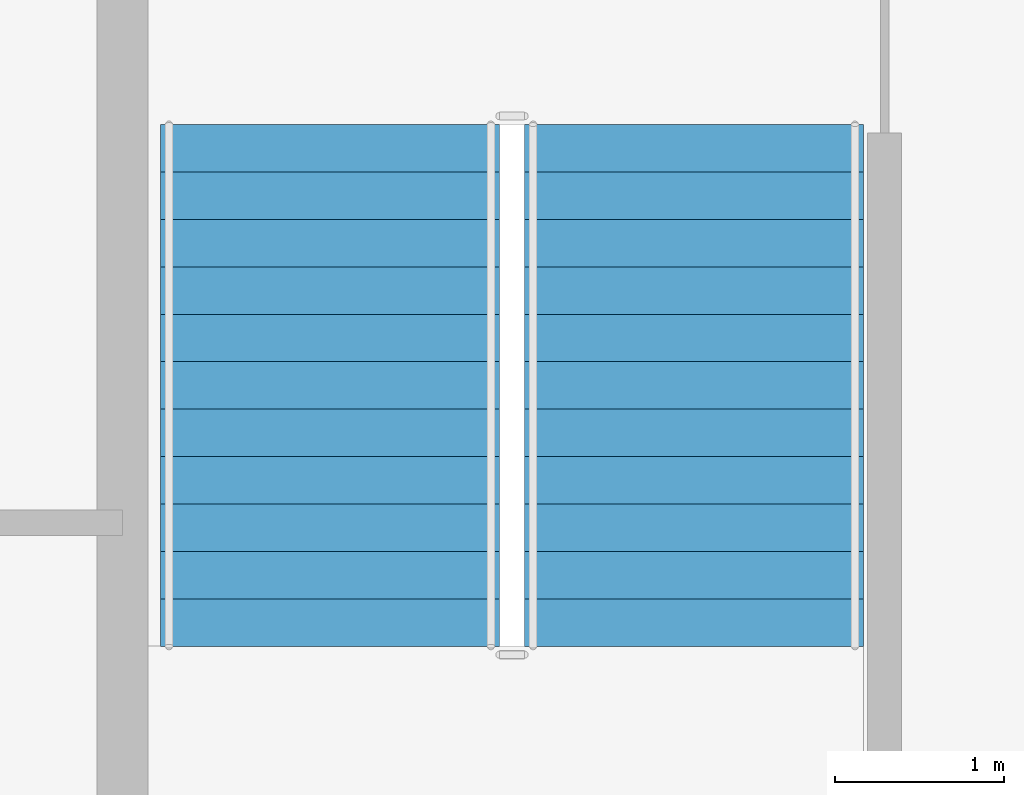
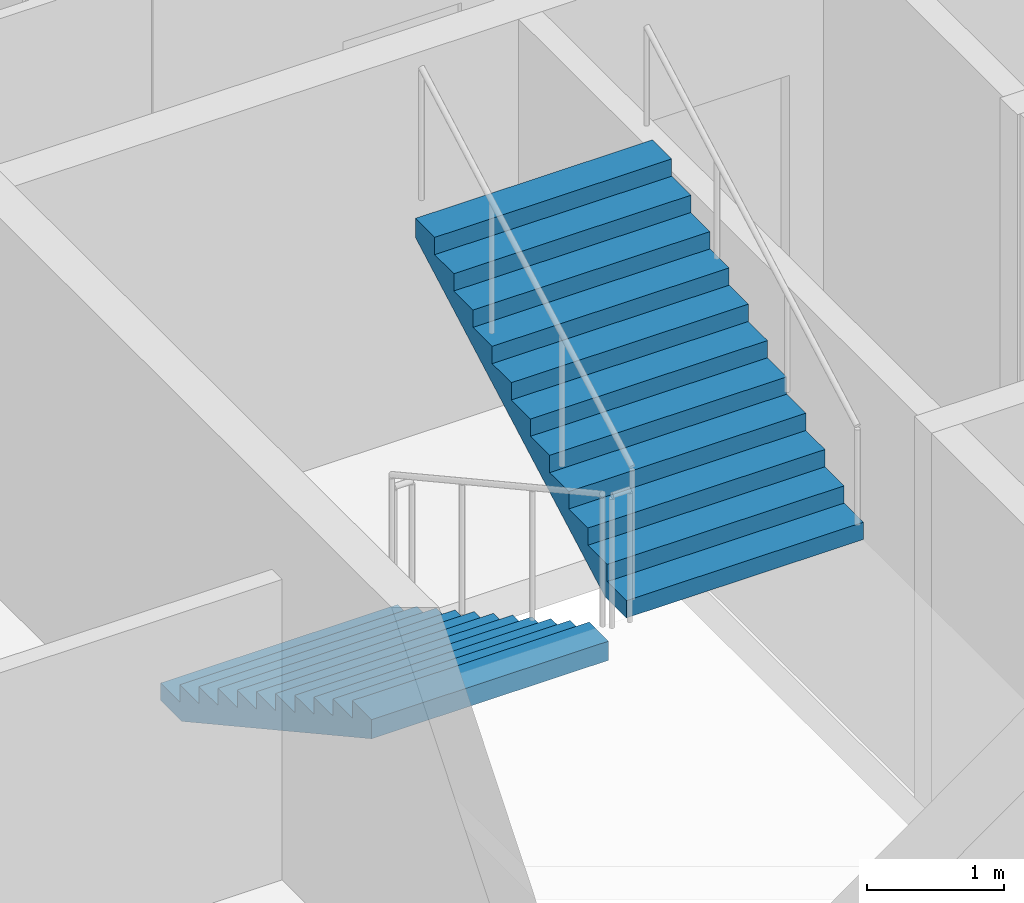
# One storey, part 9 of 12: 2 stair flights, 1 element without a shape of its own.
"""IFC4 building model written with IfcOpenShell, lengths in metres."""

from ifc_helpers import new_model, si_unit, direction, frame, origin, place, context, subcontext, project, spatial, polygons, material, type_object, element, aggregate, save


model = new_model("IFC4")

# Units and contexts
model_context = context("Model", 3, precision=1e-05, world=origin(), true_north=direction((0.0, 1.0)))
body_context = subcontext(model_context, "Body", "Model", "MODEL_VIEW")
ifc_project = project(units=[si_unit("LENGTHUNIT", "METRE"), si_unit("AREAUNIT", "SQUARE_METRE"), si_unit("VOLUMEUNIT", "CUBIC_METRE"), si_unit("PLANEANGLEUNIT", "RADIAN"), si_unit("MASSUNIT", "GRAM", prefix="KILO")], contexts=[model_context])

# Site, building, storey
site_placement = place(None, origin())
site = spatial("IfcSite", under=ifc_project, at=site_placement, CompositionType="ELEMENT")
building_placement = place(site_placement, origin())
building = spatial("IfcBuilding", under=site, at=building_placement, Name="Caravel Reach Hotel and Residences", CompositionType="ELEMENT")
storey_placement = place(building_placement, frame((0.0, 0.0, 214.60009765625)))
storey = spatial("IfcBuildingStorey", under=building, at=storey_placement, Name="L54", CompositionType="ELEMENT", Elevation=214.60009765625)

# Stair, stair flights
ifc_material_1 = material(Name="Concrete C40", Category="concrete")
stair_type = type_object("IfcStairType", Name="Core stair", PredefinedType="HALF_TURN_STAIR", material=ifc_material_1)
stair_placement = place(storey_placement, origin())
stair = element("IfcStair", 1, at=stair_placement, inside=storey, type_object=stair_type, Name="L54 Exit stair A", PredefinedType="HALF_TURN_STAIR")
ifc_material_2 = material(Name="Concrete C40", Category="concrete")
stair_flight_type = type_object("IfcStairFlightType", Name="Core stair flight", PredefinedType="STRAIGHT", material=ifc_material_2)
stair_flight_1_placement = place(storey_placement, frame((19.22509765625, 29.35009765625, 0.0), z_axis=(0.0, 0.0, 1.0), x_axis=(0.0, -1.0, 0.0)))
stair_flight_1 = element("IfcStairFlight", 2, at=stair_flight_1_placement, type_object=stair_flight_type, Name="ST-A flight 1", NumberOfRisers=12, NumberOfTreads=11, PredefinedType="STRAIGHT", RiserHeight=0.154166667, TreadLength=0.28, context=body_context, shape_type="Tessellation", body=[
    polygons([(0.3107950034306102, 1.0, 0.0), (0.3107950034306102, 0.6666666666666667, 0.0), (0.3107950034306102, 0.33333333333333337, 0.0), (0.3107950034306102, 0.0, 0.0), (0.3107950034306102, -0.33333333333333326, 0.0), (0.3107950034306102, -0.6666666666666667, 0.0), (0.3107950034306102, -1.0, 0.0), (3.081, 1.0, 1.524711087717319), (3.081, 0.6666666666666667, 1.524711087717319), (3.081, 0.33333333333333337, 1.524711087717319), (3.081, 0.0, 1.524711087717319), (3.081, -0.33333333333333326, 1.524711087717319), (3.081, -0.6666666666666667, 1.524711087717319), (3.081, -1.0, 1.524711087717319), (3.081, 1.0, 1.695833337), (3.081, 0.6666666666666667, 1.695833337), (3.081, 0.33333333333333337, 1.695833337), (3.081, 0.0, 1.695833337), (3.081, -0.33333333333333326, 1.695833337), (3.081, -0.6666666666666667, 1.695833337), (3.081, -1.0, 1.695833337), (2.8000000000000003, 1.0, 1.695833337), (2.8000000000000003, 0.6666666666666667, 1.695833337), (2.8000000000000003, 0.33333333333333337, 1.695833337), (2.8000000000000003, 0.0, 1.695833337), (2.8000000000000003, -0.33333333333333326, 1.695833337), (2.8000000000000003, -0.6666666666666667, 1.695833337), (2.8000000000000003, -1.0, 1.695833337), (2.8000000000000003, 1.0, 1.5416666700000001), (2.8000000000000003, 0.6666666666666667, 1.5416666700000001), (2.8000000000000003, 0.33333333333333337, 1.5416666700000001), (2.8000000000000003, 0.0, 1.5416666700000001), (2.8000000000000003, -0.33333333333333326, 1.5416666700000001), (2.8000000000000003, -0.6666666666666667, 1.5416666700000001), (2.8000000000000003, -1.0, 1.5416666700000001), (2.5200000000000005, 1.0, 1.5416666700000001), (2.5200000000000005, 0.6666666666666667, 1.5416666700000001), (2.5200000000000005, 0.33333333333333337, 1.5416666700000001), (2.5200000000000005, 0.0, 1.5416666700000001), (2.5200000000000005, -0.33333333333333326, 1.5416666700000001), (2.5200000000000005, -0.6666666666666667, 1.5416666700000001), (2.5200000000000005, -1.0, 1.5416666700000001), (2.5200000000000005, 1.0, 1.387500003), (2.5200000000000005, 0.6666666666666667, 1.387500003), (2.5200000000000005, 0.33333333333333337, 1.387500003), (2.5200000000000005, 0.0, 1.387500003), (2.5200000000000005, -0.33333333333333326, 1.387500003), (2.5200000000000005, -0.6666666666666667, 1.387500003), (2.5200000000000005, -1.0, 1.387500003), (2.24, 1.0, 1.387500003), (2.24, 0.6666666666666667, 1.387500003), (2.24, 0.33333333333333337, 1.387500003), (2.24, 0.0, 1.387500003), (2.24, -0.33333333333333326, 1.387500003), (2.24, -0.6666666666666667, 1.387500003), (2.24, -1.0, 1.387500003), (2.24, 1.0, 1.233333336), (2.24, 0.6666666666666667, 1.233333336), (2.24, 0.33333333333333337, 1.233333336), (2.24, 0.0, 1.233333336), (2.24, -0.33333333333333326, 1.233333336), (2.24, -0.6666666666666667, 1.233333336), (2.24, -1.0, 1.233333336), (1.9600000000000002, 1.0, 1.233333336), (1.9600000000000002, 0.6666666666666667, 1.233333336), (1.9600000000000002, 0.33333333333333337, 1.233333336), (1.9600000000000002, 0.0, 1.233333336), (1.9600000000000002, -0.33333333333333326, 1.233333336), (1.9600000000000002, -0.6666666666666667, 1.233333336), (1.9600000000000002, -1.0, 1.233333336), (1.9600000000000002, 1.0, 1.0791666690000001), (1.9600000000000002, 0.6666666666666667, 1.0791666690000001), (1.9600000000000002, 0.33333333333333337, 1.0791666690000001), (1.9600000000000002, 0.0, 1.0791666690000001), (1.9600000000000002, -0.33333333333333326, 1.0791666690000001), (1.9600000000000002, -0.6666666666666667, 1.0791666690000001), (1.9600000000000002, -1.0, 1.0791666690000001), (1.6800000000000002, 1.0, 1.0791666690000001), (1.6800000000000002, 0.6666666666666667, 1.0791666690000001), (1.6800000000000002, 0.33333333333333337, 1.0791666690000001), (1.6800000000000002, 0.0, 1.0791666690000001), (1.6800000000000002, -0.33333333333333326, 1.0791666690000001), (1.6800000000000002, -0.6666666666666667, 1.0791666690000001), (1.6800000000000002, -1.0, 1.0791666690000001), (1.6800000000000002, 1.0, 0.925000002), (1.6800000000000002, 0.6666666666666667, 0.925000002), (1.6800000000000002, 0.33333333333333337, 0.925000002), (1.6800000000000002, 0.0, 0.925000002), (1.6800000000000002, -0.33333333333333326, 0.925000002), (1.6800000000000002, -0.6666666666666667, 0.925000002), (1.6800000000000002, -1.0, 0.925000002), (1.4000000000000001, 1.0, 0.925000002), (1.4000000000000001, 0.6666666666666667, 0.925000002), (1.4000000000000001, 0.33333333333333337, 0.925000002), (1.4000000000000001, 0.0, 0.925000002), (1.4000000000000001, -0.33333333333333326, 0.925000002), (1.4000000000000001, -0.6666666666666667, 0.925000002), (1.4000000000000001, -1.0, 0.925000002), (1.4000000000000001, 1.0, 0.7708333350000001), (1.4000000000000001, 0.6666666666666667, 0.7708333350000001), (1.4000000000000001, 0.33333333333333337, 0.7708333350000001), (1.4000000000000001, 0.0, 0.7708333350000001), (1.4000000000000001, -0.33333333333333326, 0.7708333350000001), (1.4000000000000001, -0.6666666666666667, 0.7708333350000001), (1.4000000000000001, -1.0, 0.7708333350000001), (1.12, 1.0, 0.7708333350000001), (1.12, 0.6666666666666667, 0.7708333350000001), (1.12, 0.33333333333333337, 0.7708333350000001), (1.12, 0.0, 0.7708333350000001), (1.12, -0.33333333333333326, 0.7708333350000001), (1.12, -0.6666666666666667, 0.7708333350000001), (1.12, -1.0, 0.7708333350000001), (1.12, 1.0, 0.616666668), (1.12, 0.6666666666666667, 0.616666668), (1.12, 0.33333333333333337, 0.616666668), (1.12, 0.0, 0.616666668), (1.12, -0.33333333333333326, 0.616666668), (1.12, -0.6666666666666667, 0.616666668), (1.12, -1.0, 0.616666668), (0.8400000000000001, 1.0, 0.616666668), (0.8400000000000001, 0.6666666666666667, 0.616666668), (0.8400000000000001, 0.33333333333333337, 0.616666668), (0.8400000000000001, 0.0, 0.616666668), (0.8400000000000001, -0.33333333333333326, 0.616666668), (0.8400000000000001, -0.6666666666666667, 0.616666668), (0.8400000000000001, -1.0, 0.616666668), (0.8400000000000001, 1.0, 0.462500001), (0.8400000000000001, 0.6666666666666667, 0.462500001), (0.8400000000000001, 0.33333333333333337, 0.462500001), (0.8400000000000001, 0.0, 0.462500001), (0.8400000000000001, -0.33333333333333326, 0.462500001), (0.8400000000000001, -0.6666666666666667, 0.462500001), (0.8400000000000001, -1.0, 0.462500001), (0.56, 1.0, 0.462500001), (0.56, 0.6666666666666667, 0.462500001), (0.56, 0.33333333333333337, 0.462500001), (0.56, 0.0, 0.462500001), (0.56, -0.33333333333333326, 0.462500001), (0.56, -0.6666666666666667, 0.462500001), (0.56, -1.0, 0.462500001), (0.56, 1.0, 0.308333334), (0.56, 0.6666666666666667, 0.308333334), (0.56, 0.33333333333333337, 0.308333334), (0.56, 0.0, 0.308333334), (0.56, -0.33333333333333326, 0.308333334), (0.56, -0.6666666666666667, 0.308333334), (0.56, -1.0, 0.308333334), (0.28, 1.0, 0.308333334), (0.28, 0.6666666666666667, 0.308333334), (0.28, 0.33333333333333337, 0.308333334), (0.28, 0.0, 0.308333334), (0.28, -0.33333333333333326, 0.308333334), (0.28, -0.6666666666666667, 0.308333334), (0.28, -1.0, 0.308333334), (0.28, 1.0, 0.154166667), (0.28, 0.6666666666666667, 0.154166667), (0.28, 0.33333333333333337, 0.154166667), (0.28, 0.0, 0.154166667), (0.28, -0.33333333333333326, 0.154166667), (0.28, -0.6666666666666667, 0.154166667), (0.28, -1.0, 0.154166667), (-0.001, 1.0, 0.154166667), (-0.001, 0.6666666666666667, 0.154166667), (-0.001, 0.33333333333333337, 0.154166667), (-0.001, 0.0, 0.154166667), (-0.001, -0.33333333333333326, 0.154166667), (-0.001, -0.6666666666666667, 0.154166667), (-0.001, -1.0, 0.154166667), (-0.001, 1.0, 0.0), (-0.001, 0.6666666666666667, 0.0), (-0.001, 0.33333333333333337, 0.0), (-0.001, 0.0, 0.0), (-0.001, -0.33333333333333326, 0.0), (-0.001, -0.6666666666666667, 0.0), (-0.001, -1.0, 0.0)], [[[169, 162, 155, 148, 141, 134, 127, 120, 113, 106, 99, 92, 85, 78, 71, 64, 57, 50, 43, 36, 29, 22, 15, 8, 1]], [[7, 14, 21, 28, 35, 42, 49, 56, 63, 70, 77, 84, 91, 98, 105, 112, 119, 126, 133, 140, 147, 154, 161, 168, 175]], [[1, 8, 9, 2]], [[2, 9, 10, 3]], [[3, 10, 11, 4]], [[4, 11, 12, 5]], [[5, 12, 13, 6]], [[6, 13, 14, 7]], [[8, 15, 16, 9]], [[9, 16, 17, 10]], [[10, 17, 18, 11]], [[11, 18, 19, 12]], [[12, 19, 20, 13]], [[13, 20, 21, 14]], [[15, 22, 23, 16]], [[16, 23, 24, 17]], [[17, 24, 25, 18]], [[18, 25, 26, 19]], [[19, 26, 27, 20]], [[20, 27, 28, 21]], [[22, 29, 30, 23]], [[23, 30, 31, 24]], [[24, 31, 32, 25]], [[25, 32, 33, 26]], [[26, 33, 34, 27]], [[27, 34, 35, 28]], [[29, 36, 37, 30]], [[30, 37, 38, 31]], [[31, 38, 39, 32]], [[32, 39, 40, 33]], [[33, 40, 41, 34]], [[34, 41, 42, 35]], [[36, 43, 44, 37]], [[37, 44, 45, 38]], [[38, 45, 46, 39]], [[39, 46, 47, 40]], [[40, 47, 48, 41]], [[41, 48, 49, 42]], [[43, 50, 51, 44]], [[44, 51, 52, 45]], [[45, 52, 53, 46]], [[46, 53, 54, 47]], [[47, 54, 55, 48]], [[48, 55, 56, 49]], [[50, 57, 58, 51]], [[51, 58, 59, 52]], [[52, 59, 60, 53]], [[53, 60, 61, 54]], [[54, 61, 62, 55]], [[55, 62, 63, 56]], [[57, 64, 65, 58]], [[58, 65, 66, 59]], [[59, 66, 67, 60]], [[60, 67, 68, 61]], [[61, 68, 69, 62]], [[62, 69, 70, 63]], [[64, 71, 72, 65]], [[65, 72, 73, 66]], [[66, 73, 74, 67]], [[67, 74, 75, 68]], [[68, 75, 76, 69]], [[69, 76, 77, 70]], [[71, 78, 79, 72]], [[72, 79, 80, 73]], [[73, 80, 81, 74]], [[74, 81, 82, 75]], [[75, 82, 83, 76]], [[76, 83, 84, 77]], [[78, 85, 86, 79]], [[79, 86, 87, 80]], [[80, 87, 88, 81]], [[81, 88, 89, 82]], [[82, 89, 90, 83]], [[83, 90, 91, 84]], [[85, 92, 93, 86]], [[86, 93, 94, 87]], [[87, 94, 95, 88]], [[88, 95, 96, 89]], [[89, 96, 97, 90]], [[90, 97, 98, 91]], [[92, 99, 100, 93]], [[93, 100, 101, 94]], [[94, 101, 102, 95]], [[95, 102, 103, 96]], [[96, 103, 104, 97]], [[97, 104, 105, 98]], [[99, 106, 107, 100]], [[100, 107, 108, 101]], [[101, 108, 109, 102]], [[102, 109, 110, 103]], [[103, 110, 111, 104]], [[104, 111, 112, 105]], [[106, 113, 114, 107]], [[107, 114, 115, 108]], [[108, 115, 116, 109]], [[109, 116, 117, 110]], [[110, 117, 118, 111]], [[111, 118, 119, 112]], [[113, 120, 121, 114]], [[114, 121, 122, 115]], [[115, 122, 123, 116]], [[116, 123, 124, 117]], [[117, 124, 125, 118]], [[118, 125, 126, 119]], [[120, 127, 128, 121]], [[121, 128, 129, 122]], [[122, 129, 130, 123]], [[123, 130, 131, 124]], [[124, 131, 132, 125]], [[125, 132, 133, 126]], [[127, 134, 135, 128]], [[128, 135, 136, 129]], [[129, 136, 137, 130]], [[130, 137, 138, 131]], [[131, 138, 139, 132]], [[132, 139, 140, 133]], [[134, 141, 142, 135]], [[135, 142, 143, 136]], [[136, 143, 144, 137]], [[137, 144, 145, 138]], [[138, 145, 146, 139]], [[139, 146, 147, 140]], [[141, 148, 149, 142]], [[142, 149, 150, 143]], [[143, 150, 151, 144]], [[144, 151, 152, 145]], [[145, 152, 153, 146]], [[146, 153, 154, 147]], [[148, 155, 156, 149]], [[149, 156, 157, 150]], [[150, 157, 158, 151]], [[151, 158, 159, 152]], [[152, 159, 160, 153]], [[153, 160, 161, 154]], [[155, 162, 163, 156]], [[156, 163, 164, 157]], [[157, 164, 165, 158]], [[158, 165, 166, 159]], [[159, 166, 167, 160]], [[160, 167, 168, 161]], [[162, 169, 170, 163]], [[163, 170, 171, 164]], [[164, 171, 172, 165]], [[165, 172, 173, 166]], [[166, 173, 174, 167]], [[167, 174, 175, 168]], [[169, 1, 2, 170]], [[170, 2, 3, 171]], [[171, 3, 4, 172]], [[172, 4, 5, 173]], [[173, 5, 6, 174]], [[174, 6, 7, 175]]], closed=True),
])
stair_flight_2_placement = place(storey_placement, frame((21.375, 26.27001953125, 1.849853515625), z_axis=(0.0, 0.0, 1.0), x_axis=(0.0, 1.0, 0.0)))
stair_flight_2 = element("IfcStairFlight", 3, at=stair_flight_2_placement, type_object=stair_flight_type, Name="ST-A flight 2", NumberOfRisers=12, NumberOfTreads=11, PredefinedType="STRAIGHT", RiserHeight=0.154166667, TreadLength=0.28, context=body_context, shape_type="Tessellation", body=[
    polygons([(0.3107950034306102, 1.0, 0.0), (0.3107950034306102, 0.6666666666666667, 0.0), (0.3107950034306102, 0.33333333333333337, 0.0), (0.3107950034306102, 0.0, 0.0), (0.3107950034306102, -0.33333333333333326, 0.0), (0.3107950034306102, -0.6666666666666667, 0.0), (0.3107950034306102, -1.0, 0.0), (3.081, 1.0, 1.524711087717319), (3.081, 0.6666666666666667, 1.524711087717319), (3.081, 0.33333333333333337, 1.524711087717319), (3.081, 0.0, 1.524711087717319), (3.081, -0.33333333333333326, 1.524711087717319), (3.081, -0.6666666666666667, 1.524711087717319), (3.081, -1.0, 1.524711087717319), (3.081, 1.0, 1.695833337), (3.081, 0.6666666666666667, 1.695833337), (3.081, 0.33333333333333337, 1.695833337), (3.081, 0.0, 1.695833337), (3.081, -0.33333333333333326, 1.695833337), (3.081, -0.6666666666666667, 1.695833337), (3.081, -1.0, 1.695833337), (2.8000000000000003, 1.0, 1.695833337), (2.8000000000000003, 0.6666666666666667, 1.695833337), (2.8000000000000003, 0.33333333333333337, 1.695833337), (2.8000000000000003, 0.0, 1.695833337), (2.8000000000000003, -0.33333333333333326, 1.695833337), (2.8000000000000003, -0.6666666666666667, 1.695833337), (2.8000000000000003, -1.0, 1.695833337), (2.8000000000000003, 1.0, 1.5416666700000001), (2.8000000000000003, 0.6666666666666667, 1.5416666700000001), (2.8000000000000003, 0.33333333333333337, 1.5416666700000001), (2.8000000000000003, 0.0, 1.5416666700000001), (2.8000000000000003, -0.33333333333333326, 1.5416666700000001), (2.8000000000000003, -0.6666666666666667, 1.5416666700000001), (2.8000000000000003, -1.0, 1.5416666700000001), (2.5200000000000005, 1.0, 1.5416666700000001), (2.5200000000000005, 0.6666666666666667, 1.5416666700000001), (2.5200000000000005, 0.33333333333333337, 1.5416666700000001), (2.5200000000000005, 0.0, 1.5416666700000001), (2.5200000000000005, -0.33333333333333326, 1.5416666700000001), (2.5200000000000005, -0.6666666666666667, 1.5416666700000001), (2.5200000000000005, -1.0, 1.5416666700000001), (2.5200000000000005, 1.0, 1.387500003), (2.5200000000000005, 0.6666666666666667, 1.387500003), (2.5200000000000005, 0.33333333333333337, 1.387500003), (2.5200000000000005, 0.0, 1.387500003), (2.5200000000000005, -0.33333333333333326, 1.387500003), (2.5200000000000005, -0.6666666666666667, 1.387500003), (2.5200000000000005, -1.0, 1.387500003), (2.24, 1.0, 1.387500003), (2.24, 0.6666666666666667, 1.387500003), (2.24, 0.33333333333333337, 1.387500003), (2.24, 0.0, 1.387500003), (2.24, -0.33333333333333326, 1.387500003), (2.24, -0.6666666666666667, 1.387500003), (2.24, -1.0, 1.387500003), (2.24, 1.0, 1.233333336), (2.24, 0.6666666666666667, 1.233333336), (2.24, 0.33333333333333337, 1.233333336), (2.24, 0.0, 1.233333336), (2.24, -0.33333333333333326, 1.233333336), (2.24, -0.6666666666666667, 1.233333336), (2.24, -1.0, 1.233333336), (1.9600000000000002, 1.0, 1.233333336), (1.9600000000000002, 0.6666666666666667, 1.233333336), (1.9600000000000002, 0.33333333333333337, 1.233333336), (1.9600000000000002, 0.0, 1.233333336), (1.9600000000000002, -0.33333333333333326, 1.233333336), (1.9600000000000002, -0.6666666666666667, 1.233333336), (1.9600000000000002, -1.0, 1.233333336), (1.9600000000000002, 1.0, 1.0791666690000001), (1.9600000000000002, 0.6666666666666667, 1.0791666690000001), (1.9600000000000002, 0.33333333333333337, 1.0791666690000001), (1.9600000000000002, 0.0, 1.0791666690000001), (1.9600000000000002, -0.33333333333333326, 1.0791666690000001), (1.9600000000000002, -0.6666666666666667, 1.0791666690000001), (1.9600000000000002, -1.0, 1.0791666690000001), (1.6800000000000002, 1.0, 1.0791666690000001), (1.6800000000000002, 0.6666666666666667, 1.0791666690000001), (1.6800000000000002, 0.33333333333333337, 1.0791666690000001), (1.6800000000000002, 0.0, 1.0791666690000001), (1.6800000000000002, -0.33333333333333326, 1.0791666690000001), (1.6800000000000002, -0.6666666666666667, 1.0791666690000001), (1.6800000000000002, -1.0, 1.0791666690000001), (1.6800000000000002, 1.0, 0.925000002), (1.6800000000000002, 0.6666666666666667, 0.925000002), (1.6800000000000002, 0.33333333333333337, 0.925000002), (1.6800000000000002, 0.0, 0.925000002), (1.6800000000000002, -0.33333333333333326, 0.925000002), (1.6800000000000002, -0.6666666666666667, 0.925000002), (1.6800000000000002, -1.0, 0.925000002), (1.4000000000000001, 1.0, 0.925000002), (1.4000000000000001, 0.6666666666666667, 0.925000002), (1.4000000000000001, 0.33333333333333337, 0.925000002), (1.4000000000000001, 0.0, 0.925000002), (1.4000000000000001, -0.33333333333333326, 0.925000002), (1.4000000000000001, -0.6666666666666667, 0.925000002), (1.4000000000000001, -1.0, 0.925000002), (1.4000000000000001, 1.0, 0.7708333350000001), (1.4000000000000001, 0.6666666666666667, 0.7708333350000001), (1.4000000000000001, 0.33333333333333337, 0.7708333350000001), (1.4000000000000001, 0.0, 0.7708333350000001), (1.4000000000000001, -0.33333333333333326, 0.7708333350000001), (1.4000000000000001, -0.6666666666666667, 0.7708333350000001), (1.4000000000000001, -1.0, 0.7708333350000001), (1.12, 1.0, 0.7708333350000001), (1.12, 0.6666666666666667, 0.7708333350000001), (1.12, 0.33333333333333337, 0.7708333350000001), (1.12, 0.0, 0.7708333350000001), (1.12, -0.33333333333333326, 0.7708333350000001), (1.12, -0.6666666666666667, 0.7708333350000001), (1.12, -1.0, 0.7708333350000001), (1.12, 1.0, 0.616666668), (1.12, 0.6666666666666667, 0.616666668), (1.12, 0.33333333333333337, 0.616666668), (1.12, 0.0, 0.616666668), (1.12, -0.33333333333333326, 0.616666668), (1.12, -0.6666666666666667, 0.616666668), (1.12, -1.0, 0.616666668), (0.8400000000000001, 1.0, 0.616666668), (0.8400000000000001, 0.6666666666666667, 0.616666668), (0.8400000000000001, 0.33333333333333337, 0.616666668), (0.8400000000000001, 0.0, 0.616666668), (0.8400000000000001, -0.33333333333333326, 0.616666668), (0.8400000000000001, -0.6666666666666667, 0.616666668), (0.8400000000000001, -1.0, 0.616666668), (0.8400000000000001, 1.0, 0.462500001), (0.8400000000000001, 0.6666666666666667, 0.462500001), (0.8400000000000001, 0.33333333333333337, 0.462500001), (0.8400000000000001, 0.0, 0.462500001), (0.8400000000000001, -0.33333333333333326, 0.462500001), (0.8400000000000001, -0.6666666666666667, 0.462500001), (0.8400000000000001, -1.0, 0.462500001), (0.56, 1.0, 0.462500001), (0.56, 0.6666666666666667, 0.462500001), (0.56, 0.33333333333333337, 0.462500001), (0.56, 0.0, 0.462500001), (0.56, -0.33333333333333326, 0.462500001), (0.56, -0.6666666666666667, 0.462500001), (0.56, -1.0, 0.462500001), (0.56, 1.0, 0.308333334), (0.56, 0.6666666666666667, 0.308333334), (0.56, 0.33333333333333337, 0.308333334), (0.56, 0.0, 0.308333334), (0.56, -0.33333333333333326, 0.308333334), (0.56, -0.6666666666666667, 0.308333334), (0.56, -1.0, 0.308333334), (0.28, 1.0, 0.308333334), (0.28, 0.6666666666666667, 0.308333334), (0.28, 0.33333333333333337, 0.308333334), (0.28, 0.0, 0.308333334), (0.28, -0.33333333333333326, 0.308333334), (0.28, -0.6666666666666667, 0.308333334), (0.28, -1.0, 0.308333334), (0.28, 1.0, 0.154166667), (0.28, 0.6666666666666667, 0.154166667), (0.28, 0.33333333333333337, 0.154166667), (0.28, 0.0, 0.154166667), (0.28, -0.33333333333333326, 0.154166667), (0.28, -0.6666666666666667, 0.154166667), (0.28, -1.0, 0.154166667), (-0.001, 1.0, 0.154166667), (-0.001, 0.6666666666666667, 0.154166667), (-0.001, 0.33333333333333337, 0.154166667), (-0.001, 0.0, 0.154166667), (-0.001, -0.33333333333333326, 0.154166667), (-0.001, -0.6666666666666667, 0.154166667), (-0.001, -1.0, 0.154166667), (-0.001, 1.0, 0.0), (-0.001, 0.6666666666666667, 0.0), (-0.001, 0.33333333333333337, 0.0), (-0.001, 0.0, 0.0), (-0.001, -0.33333333333333326, 0.0), (-0.001, -0.6666666666666667, 0.0), (-0.001, -1.0, 0.0)], [[[169, 162, 155, 148, 141, 134, 127, 120, 113, 106, 99, 92, 85, 78, 71, 64, 57, 50, 43, 36, 29, 22, 15, 8, 1]], [[7, 14, 21, 28, 35, 42, 49, 56, 63, 70, 77, 84, 91, 98, 105, 112, 119, 126, 133, 140, 147, 154, 161, 168, 175]], [[1, 8, 9, 2]], [[2, 9, 10, 3]], [[3, 10, 11, 4]], [[4, 11, 12, 5]], [[5, 12, 13, 6]], [[6, 13, 14, 7]], [[8, 15, 16, 9]], [[9, 16, 17, 10]], [[10, 17, 18, 11]], [[11, 18, 19, 12]], [[12, 19, 20, 13]], [[13, 20, 21, 14]], [[15, 22, 23, 16]], [[16, 23, 24, 17]], [[17, 24, 25, 18]], [[18, 25, 26, 19]], [[19, 26, 27, 20]], [[20, 27, 28, 21]], [[22, 29, 30, 23]], [[23, 30, 31, 24]], [[24, 31, 32, 25]], [[25, 32, 33, 26]], [[26, 33, 34, 27]], [[27, 34, 35, 28]], [[29, 36, 37, 30]], [[30, 37, 38, 31]], [[31, 38, 39, 32]], [[32, 39, 40, 33]], [[33, 40, 41, 34]], [[34, 41, 42, 35]], [[36, 43, 44, 37]], [[37, 44, 45, 38]], [[38, 45, 46, 39]], [[39, 46, 47, 40]], [[40, 47, 48, 41]], [[41, 48, 49, 42]], [[43, 50, 51, 44]], [[44, 51, 52, 45]], [[45, 52, 53, 46]], [[46, 53, 54, 47]], [[47, 54, 55, 48]], [[48, 55, 56, 49]], [[50, 57, 58, 51]], [[51, 58, 59, 52]], [[52, 59, 60, 53]], [[53, 60, 61, 54]], [[54, 61, 62, 55]], [[55, 62, 63, 56]], [[57, 64, 65, 58]], [[58, 65, 66, 59]], [[59, 66, 67, 60]], [[60, 67, 68, 61]], [[61, 68, 69, 62]], [[62, 69, 70, 63]], [[64, 71, 72, 65]], [[65, 72, 73, 66]], [[66, 73, 74, 67]], [[67, 74, 75, 68]], [[68, 75, 76, 69]], [[69, 76, 77, 70]], [[71, 78, 79, 72]], [[72, 79, 80, 73]], [[73, 80, 81, 74]], [[74, 81, 82, 75]], [[75, 82, 83, 76]], [[76, 83, 84, 77]], [[78, 85, 86, 79]], [[79, 86, 87, 80]], [[80, 87, 88, 81]], [[81, 88, 89, 82]], [[82, 89, 90, 83]], [[83, 90, 91, 84]], [[85, 92, 93, 86]], [[86, 93, 94, 87]], [[87, 94, 95, 88]], [[88, 95, 96, 89]], [[89, 96, 97, 90]], [[90, 97, 98, 91]], [[92, 99, 100, 93]], [[93, 100, 101, 94]], [[94, 101, 102, 95]], [[95, 102, 103, 96]], [[96, 103, 104, 97]], [[97, 104, 105, 98]], [[99, 106, 107, 100]], [[100, 107, 108, 101]], [[101, 108, 109, 102]], [[102, 109, 110, 103]], [[103, 110, 111, 104]], [[104, 111, 112, 105]], [[106, 113, 114, 107]], [[107, 114, 115, 108]], [[108, 115, 116, 109]], [[109, 116, 117, 110]], [[110, 117, 118, 111]], [[111, 118, 119, 112]], [[113, 120, 121, 114]], [[114, 121, 122, 115]], [[115, 122, 123, 116]], [[116, 123, 124, 117]], [[117, 124, 125, 118]], [[118, 125, 126, 119]], [[120, 127, 128, 121]], [[121, 128, 129, 122]], [[122, 129, 130, 123]], [[123, 130, 131, 124]], [[124, 131, 132, 125]], [[125, 132, 133, 126]], [[127, 134, 135, 128]], [[128, 135, 136, 129]], [[129, 136, 137, 130]], [[130, 137, 138, 131]], [[131, 138, 139, 132]], [[132, 139, 140, 133]], [[134, 141, 142, 135]], [[135, 142, 143, 136]], [[136, 143, 144, 137]], [[137, 144, 145, 138]], [[138, 145, 146, 139]], [[139, 146, 147, 140]], [[141, 148, 149, 142]], [[142, 149, 150, 143]], [[143, 150, 151, 144]], [[144, 151, 152, 145]], [[145, 152, 153, 146]], [[146, 153, 154, 147]], [[148, 155, 156, 149]], [[149, 156, 157, 150]], [[150, 157, 158, 151]], [[151, 158, 159, 152]], [[152, 159, 160, 153]], [[153, 160, 161, 154]], [[155, 162, 163, 156]], [[156, 163, 164, 157]], [[157, 164, 165, 158]], [[158, 165, 166, 159]], [[159, 166, 167, 160]], [[160, 167, 168, 161]], [[162, 169, 170, 163]], [[163, 170, 171, 164]], [[164, 171, 172, 165]], [[165, 172, 173, 166]], [[166, 173, 174, 167]], [[167, 174, 175, 168]], [[169, 1, 2, 170]], [[170, 2, 3, 171]], [[171, 3, 4, 172]], [[172, 4, 5, 173]], [[173, 5, 6, 174]], [[174, 6, 7, 175]]], closed=True),
])
aggregate(stair, [stair_flight_1, stair_flight_2])

save(model, "model.ifc")
